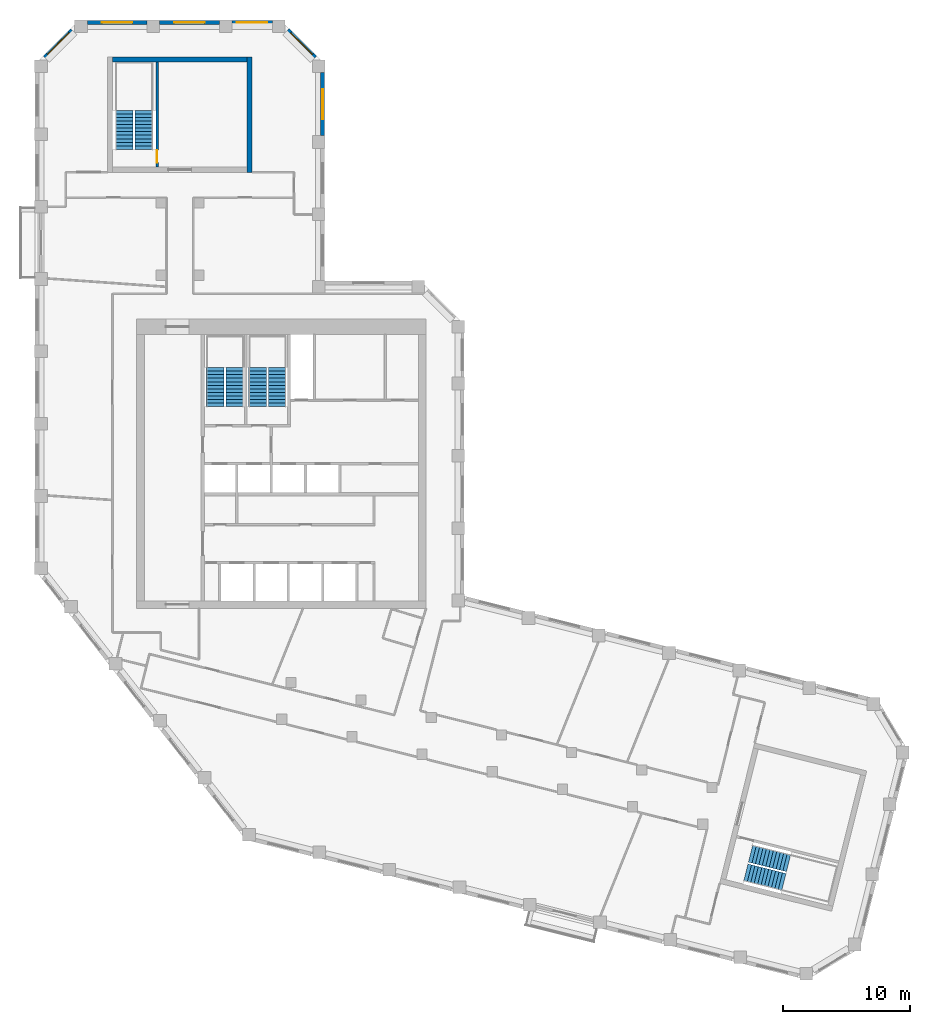
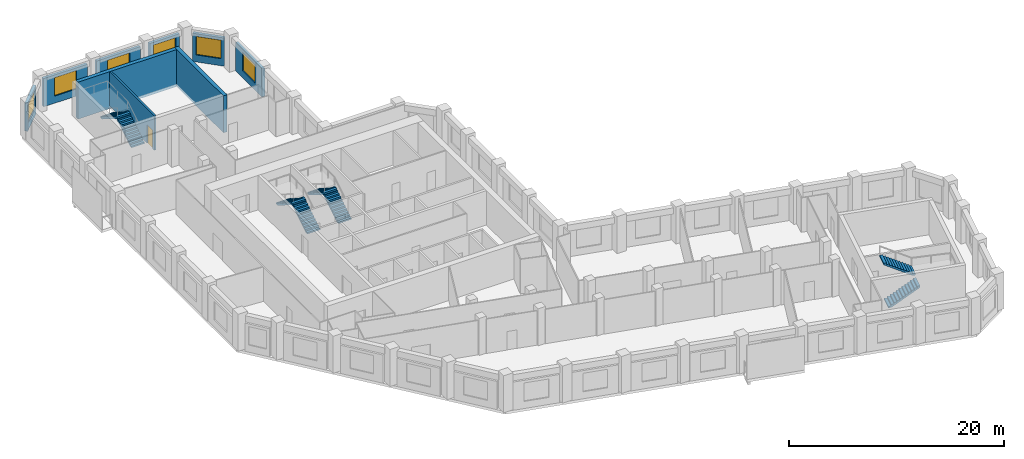
# One storey, part 8 of 9: 9 walls, 8 stair flights, 6 windows, 1 door, 7 openings, 4 elements without a shape of their own.
"""IFC4 building model written with IfcOpenShell, lengths in metres."""

from ifc_helpers import new_model, si_unit, direction, frame, frame_2d, origin, place, context, subcontext, project, spatial, polyline, rectangle, outline, extrude, material, layer, layer_set, type_object, element, fill, aggregate, save


model = new_model("IFC4")

# Units and contexts
model_context = context("Model", 3, precision=1e-05, world=origin(), true_north=direction((0.0, 1.0)))
body_context = subcontext(model_context, "Body", "Model", "MODEL_VIEW")
ifc_project = project(units=[si_unit("LENGTHUNIT", "METRE"), si_unit("AREAUNIT", "SQUARE_METRE"), si_unit("VOLUMEUNIT", "CUBIC_METRE"), si_unit("PLANEANGLEUNIT", "RADIAN"), si_unit("MASSUNIT", "GRAM", prefix="KILO")], contexts=[model_context])

# Site, building, storey
site_placement = place(None, origin())
site = spatial("IfcSite", under=ifc_project, at=site_placement, CompositionType="ELEMENT")
building_placement = place(site_placement, origin())
building = spatial("IfcBuilding", under=site, at=building_placement, Name="Meshkara Civic Tower", CompositionType="ELEMENT")
storey_placement = place(building_placement, frame((0.0, 0.0, 310.800048828125)))
storey = spatial("IfcBuildingStorey", under=building, at=storey_placement, Name="L71", CompositionType="ELEMENT", Elevation=310.800048828125)

# Wall, opening, window
ifc_material_1 = material(Name="Insulated infill panel with bronze anodised aluminium cladding", Category="aluminium")
ifc_layer_1 = layer(ifc_material_1, 0.300048828125)
ifc_layer_set_1 = layer_set([ifc_layer_1], Name="EXTERNAL INFILL WALL 300")
wall_type_1 = type_object("IfcWallType", Name="EXTERNAL INFILL WALL 300", PredefinedType="SOLIDWALL", material=ifc_layer_set_1)
wall_1_placement = place(storey_placement, frame((22.64990234375, 51.35009765625, 0.0), z_axis=(0.0, 0.0, 1.0), x_axis=(0.0, 1.0, 0.0)))
wall_1 = element("IfcWall", 1, at=wall_1_placement, inside=storey, type_object=wall_type_1, Name="External wall", PredefinedType="SOLIDWALL", context=body_context, shape_type="SweptSolid", body=[
    extrude(rectangle(XDim=4.9638671875, YDim=0.300048828125, at=frame_2d((2.48193359375, 0.0))), origin(), (0.0, 0.0, 1.0), 3.199951171875),
])
opening_1_placement = place(wall_1_placement, frame((1.281982421875, 0.0, 0.800048828125)))
opening_1 = element("IfcOpeningElement", 2, at=opening_1_placement, cuts=wall_1, Name="Opening W7", PredefinedType="OPENING", context=body_context, shape_type="SweptSolid", body=[
    extrude(rectangle(XDim=2.39990234375, YDim=2.10009765625, at=frame_2d((1.199951171875, 1.050048828125))), frame((0.0, 0.159912109375, 0.0), z_axis=(0.0, -1.0, 0.0), x_axis=(1.0, 0.0, 0.0)), (0.0, 0.0, 1.0), 0.320068359375),
])
ifc_material_2 = material(Name="Tinted double glazing", Category="glass")
window_type = type_object("IfcWindowType", Name="WINDOW 2400x2100", PartitioningType="DOUBLE_PANEL_VERTICAL", PredefinedType="WINDOW", material=ifc_material_2)
window_1_placement = place(opening_1_placement, origin())
window_1 = element("IfcWindow", 3, at=window_1_placement, inside=storey, type_object=window_type, Name="Window", OverallHeight=2.10009765625, OverallWidth=2.39990234375, PartitioningType="DOUBLE_PANEL_VERTICAL", PredefinedType="WINDOW", context=body_context, shape_type="SweptSolid", body=[
    extrude(rectangle(XDim=2.39990234375, YDim=2.10009765625, at=frame_2d((1.199951171875, 1.050048828125))), frame((0.0, 0.030029296875, 0.0), z_axis=(0.0, -1.0, 0.0), x_axis=(1.0, 0.0, 0.0)), (0.0, 0.0, 1.0), 0.06005859375),
])
fill(opening_1, window_1)

wall_2_placement = place(storey_placement, frame((22.06201171875, 57.52587890625, 0.0), z_axis=(0.0, 0.0, 1.0), x_axis=(-0.707106781187, 0.707106781187, 0.0)))
wall_2 = element("IfcWall", 4, at=wall_2_placement, inside=storey, type_object=wall_type_1, Name="External wall", PredefinedType="SOLIDWALL", context=body_context, shape_type="SweptSolid", body=[
    extrude(rectangle(XDim=3.049072265625, YDim=0.300048828125, at=frame_2d((1.5244140625, 0.0))), origin(), (0.0, 0.0, 1.0), 3.199951171875),
])
opening_2_placement = place(wall_2_placement, frame((0.324951171875, 0.0, 0.800048828125)))
opening_2 = element("IfcOpeningElement", 5, at=opening_2_placement, cuts=wall_2, Name="Opening W7", PredefinedType="OPENING", context=body_context, shape_type="SweptSolid", body=[
    extrude(rectangle(XDim=2.39990234375, YDim=2.10009765625, at=frame_2d((1.199951171875, 1.050048828125))), frame((0.0, 0.159912109375, 0.0), z_axis=(0.0, -1.0, 0.0), x_axis=(1.0, 0.0, 0.0)), (0.0, 0.0, 1.0), 0.320068359375),
])
window_2_placement = place(opening_2_placement, origin())
window_2 = element("IfcWindow", 6, at=window_2_placement, inside=storey, type_object=window_type, Name="Window", OverallHeight=2.10009765625, OverallWidth=2.39990234375, PartitioningType="DOUBLE_PANEL_VERTICAL", PredefinedType="WINDOW", context=body_context, shape_type="SweptSolid", body=[
    extrude(rectangle(XDim=2.39990234375, YDim=2.10009765625, at=frame_2d((1.199951171875, 1.050048828125))), frame((0.0, 0.030029296875, 0.0), z_axis=(0.0, -1.0, 0.0), x_axis=(1.0, 0.0, 0.0)), (0.0, 0.0, 1.0), 0.06005859375),
])
fill(opening_2, window_2)

wall_3_placement = place(storey_placement, frame((18.694091796875, 60.27001953125, 0.0), z_axis=(0.0, 0.0, 1.0), x_axis=(-1.0, 0.0, 0.0)))
wall_3 = element("IfcWall", 7, at=wall_3_placement, inside=storey, type_object=wall_type_1, Name="External wall", PredefinedType="SOLIDWALL", context=body_context, shape_type="SweptSolid", body=[
    extrude(rectangle(XDim=3.18798828125, YDim=0.300048828125, at=frame_2d((1.593994140625, 0.0))), origin(), (0.0, 0.0, 1.0), 3.199951171875),
])
opening_3_placement = place(wall_3_placement, frame((0.39404296875, 0.0, 0.800048828125)))
opening_3 = element("IfcOpeningElement", 8, at=opening_3_placement, cuts=wall_3, Name="Opening W7", PredefinedType="OPENING", context=body_context, shape_type="SweptSolid", body=[
    extrude(rectangle(XDim=2.39990234375, YDim=2.10009765625, at=frame_2d((1.199951171875, 1.050048828125))), frame((0.0, 0.159912109375, 0.0), z_axis=(0.0, -1.0, 0.0), x_axis=(1.0, 0.0, 0.0)), (0.0, 0.0, 1.0), 0.320068359375),
])
window_3_placement = place(opening_3_placement, origin())
window_3 = element("IfcWindow", 9, at=window_3_placement, inside=storey, type_object=window_type, Name="Window", OverallHeight=2.10009765625, OverallWidth=2.39990234375, PartitioningType="DOUBLE_PANEL_VERTICAL", PredefinedType="WINDOW", context=body_context, shape_type="SweptSolid", body=[
    extrude(rectangle(XDim=2.39990234375, YDim=2.10009765625, at=frame_2d((1.199951171875, 1.050048828125))), frame((0.0, 0.030029296875, 0.0), z_axis=(0.0, -1.0, 0.0), x_axis=(1.0, 0.0, 0.0)), (0.0, 0.0, 1.0), 0.06005859375),
])
fill(opening_3, window_3)

wall_4_placement = place(storey_placement, frame((14.506103515625, 60.27001953125, 0.0), z_axis=(0.0, 0.0, 1.0), x_axis=(-1.0, 0.0, 0.0)))
wall_4 = element("IfcWall", 10, at=wall_4_placement, inside=storey, type_object=wall_type_1, Name="External wall", PredefinedType="SOLIDWALL", context=body_context, shape_type="SweptSolid", body=[
    extrude(rectangle(XDim=4.7001953125, YDim=0.300048828125, at=frame_2d((2.35009765625, 0.0))), origin(), (0.0, 0.0, 1.0), 3.199951171875),
])
opening_4_placement = place(wall_4_placement, frame((1.14990234375, 0.0, 0.800048828125)))
opening_4 = element("IfcOpeningElement", 11, at=opening_4_placement, cuts=wall_4, Name="Opening W7", PredefinedType="OPENING", context=body_context, shape_type="SweptSolid", body=[
    extrude(rectangle(XDim=2.39990234375, YDim=2.10009765625, at=frame_2d((1.199951171875, 1.050048828125))), frame((0.0, 0.159912109375, 0.0), z_axis=(0.0, -1.0, 0.0), x_axis=(1.0, 0.0, 0.0)), (0.0, 0.0, 1.0), 0.320068359375),
])
window_4_placement = place(opening_4_placement, origin())
window_4 = element("IfcWindow", 12, at=window_4_placement, inside=storey, type_object=window_type, Name="Window", OverallHeight=2.10009765625, OverallWidth=2.39990234375, PartitioningType="DOUBLE_PANEL_VERTICAL", PredefinedType="WINDOW", context=body_context, shape_type="SweptSolid", body=[
    extrude(rectangle(XDim=2.39990234375, YDim=2.10009765625, at=frame_2d((1.199951171875, 1.050048828125))), frame((0.0, 0.030029296875, 0.0), z_axis=(0.0, -1.0, 0.0), x_axis=(1.0, 0.0, 0.0)), (0.0, 0.0, 1.0), 0.06005859375),
])
fill(opening_4, window_4)

wall_5_placement = place(storey_placement, frame((8.805908203125, 60.27001953125, 0.0), z_axis=(0.0, 0.0, 1.0), x_axis=(-1.0, 0.0, 0.0)))
wall_5 = element("IfcWall", 13, at=wall_5_placement, inside=storey, type_object=wall_type_1, Name="External wall", PredefinedType="SOLIDWALL", context=body_context, shape_type="SweptSolid", body=[
    extrude(rectangle(XDim=4.699951171875, YDim=0.300048828125, at=frame_2d((2.35009765625, 0.0))), origin(), (0.0, 0.0, 1.0), 3.199951171875),
])
opening_5_placement = place(wall_5_placement, frame((1.14990234375, 0.0, 0.800048828125)))
opening_5 = element("IfcOpeningElement", 14, at=opening_5_placement, cuts=wall_5, Name="Opening W7", PredefinedType="OPENING", context=body_context, shape_type="SweptSolid", body=[
    extrude(rectangle(XDim=2.39990234375, YDim=2.10009765625, at=frame_2d((1.199951171875, 1.050048828125))), frame((0.0, 0.159912109375, 0.0), z_axis=(0.0, -1.0, 0.0), x_axis=(1.0, 0.0, 0.0)), (0.0, 0.0, 1.0), 0.320068359375),
])
window_5_placement = place(opening_5_placement, origin())
window_5 = element("IfcWindow", 15, at=window_5_placement, inside=storey, type_object=window_type, Name="Window", OverallHeight=2.10009765625, OverallWidth=2.39990234375, PartitioningType="DOUBLE_PANEL_VERTICAL", PredefinedType="WINDOW", context=body_context, shape_type="SweptSolid", body=[
    extrude(rectangle(XDim=2.39990234375, YDim=2.10009765625, at=frame_2d((1.199951171875, 1.050048828125))), frame((0.0, 0.030029296875, 0.0), z_axis=(0.0, -1.0, 0.0), x_axis=(1.0, 0.0, 0.0)), (0.0, 0.0, 1.0), 0.06005859375),
])
fill(opening_5, window_5)

wall_6_placement = place(storey_placement, frame((2.89404296875, 59.681884765625, 0.0), z_axis=(0.0, 0.0, 1.0), x_axis=(-0.707106781187, -0.707106781187, 0.0)))
wall_6 = element("IfcWall", 16, at=wall_6_placement, inside=storey, type_object=wall_type_1, Name="External wall", PredefinedType="SOLIDWALL", context=body_context, shape_type="SweptSolid", body=[
    extrude(rectangle(XDim=3.049072265625, YDim=0.300048828125, at=frame_2d((1.5244140625, 0.0))), origin(), (0.0, 0.0, 1.0), 3.199951171875),
])
opening_6_placement = place(wall_6_placement, frame((0.324951171875, 0.0, 0.800048828125)))
opening_6 = element("IfcOpeningElement", 17, at=opening_6_placement, cuts=wall_6, Name="Opening W7", PredefinedType="OPENING", context=body_context, shape_type="SweptSolid", body=[
    extrude(rectangle(XDim=2.39990234375, YDim=2.10009765625, at=frame_2d((1.199951171875, 1.050048828125))), frame((0.0, 0.159912109375, 0.0), z_axis=(0.0, -1.0, 0.0), x_axis=(1.0, 0.0, 0.0)), (0.0, 0.0, 1.0), 0.320068359375),
])
window_6_placement = place(opening_6_placement, origin())
window_6 = element("IfcWindow", 18, at=window_6_placement, inside=storey, type_object=window_type, Name="Window", OverallHeight=2.10009765625, OverallWidth=2.39990234375, PartitioningType="DOUBLE_PANEL_VERTICAL", PredefinedType="WINDOW", context=body_context, shape_type="SweptSolid", body=[
    extrude(rectangle(XDim=2.39990234375, YDim=2.10009765625, at=frame_2d((1.199951171875, 1.050048828125))), frame((0.0, 0.030029296875, 0.0), z_axis=(0.0, -1.0, 0.0), x_axis=(1.0, 0.0, 0.0)), (0.0, 0.0, 1.0), 0.06005859375),
])
fill(opening_6, window_6)

# Walls
ifc_material_3 = material(Name="Concrete C60", Category="concrete")
ifc_layer_2 = layer(ifc_material_3, 0.39990234375)
ifc_layer_set_2 = layer_set([ifc_layer_2], Name="End core ring wall 400 C60")
wall_type_2 = type_object("IfcWallType", Name="End core ring wall 400 C60", PredefinedType="SHEAR", material=ifc_layer_set_2)
wall_7_placement = place(storey_placement, frame((16.89990234375, 48.469970703125, -0.300048828125), z_axis=(0.0, 0.0, 1.0), x_axis=(0.0, 1.0, 0.0)))
element("IfcWall", 19, at=wall_7_placement, inside=storey, type_object=wall_type_2, Name="L71-C028", PredefinedType="SHEAR", context=body_context, shape_type="SweptSolid", body=[
    extrude(rectangle(XDim=9.10009765625, YDim=0.39990234375, at=frame_2d((4.550048828125, 0.0))), origin(), (0.0, 0.0, 1.0), 4.199951171875),
])
wall_8_placement = place(storey_placement, frame((6.10009765625, 57.3701171875, -0.300048828125), z_axis=(0.0, 0.0, 1.0), x_axis=(1.0, 0.0, 0.0)))
element("IfcWall", 20, at=wall_8_placement, inside=storey, type_object=wall_type_2, Name="L71-C030", PredefinedType="SHEAR", context=body_context, shape_type="SweptSolid", body=[
    extrude(rectangle(XDim=10.599853515625, YDim=0.39990234375, at=frame_2d((5.2998046875, 0.0))), origin(), (0.0, 0.0, 1.0), 4.199951171875),
])

# Wall, opening, door
ifc_material_4 = material(Name="Concrete C40/50", Category="concrete")
ifc_layer_3 = layer(ifc_material_4, 0.199951171875)
ifc_layer_set_3 = layer_set([ifc_layer_3], Name="Stair enclosure wall 200 C40/50")
wall_type_3 = type_object("IfcWallType", Name="Stair enclosure wall 200 C40/50", PredefinedType="SOLIDWALL", material=ifc_layer_set_3)
wall_9_placement = place(storey_placement, frame((9.60009765625, 48.8701171875, 0.0), z_axis=(0.0, 0.0, 1.0), x_axis=(0.0, 1.0, 0.0)))
wall_9 = element("IfcWall", 21, at=wall_9_placement, inside=storey, type_object=wall_type_3, Name="L71-C031", PredefinedType="SOLIDWALL", context=body_context, shape_type="SweptSolid", body=[
    extrude(rectangle(XDim=8.2998046875, YDim=0.199951171875, at=frame_2d((4.14990234375, 0.0))), origin(), (0.0, 0.0, 1.0), 3.89990234375),
])
opening_7_placement = place(wall_9_placement, frame((0.35009765625, 0.0, 0.0)))
opening_7 = element("IfcOpeningElement", 22, at=opening_7_placement, cuts=wall_9, Name="Opening L71-K101", PredefinedType="OPENING", context=body_context, shape_type="SweptSolid", body=[
    extrude(rectangle(XDim=1.0, YDim=2.10009765625, at=frame_2d((0.5, 1.050048828125))), frame((0.0, 0.10986328125, 0.0), z_axis=(0.0, -1.0, 0.0), x_axis=(1.0, 0.0, 0.0)), (0.0, 0.0, 1.0), 0.219970703125),
])
ifc_material_5 = material(Name="Fire-rated door leaf in steel frame", Category="steel")
door_type = type_object("IfcDoorType", Name="Stair door 1000 EI 120", OperationType="SINGLE_SWING_LEFT", PredefinedType="DOOR", material=ifc_material_5)
door_placement = place(opening_7_placement, origin())
door = element("IfcDoor", 23, at=door_placement, inside=storey, type_object=door_type, Name="L71-K101", OperationType="SINGLE_SWING_RIGHT", OverallHeight=2.10009765625, OverallWidth=1.0, PredefinedType="DOOR", context=body_context, shape_type="SweptSolid", body=[
    extrude(rectangle(XDim=1.0, YDim=2.10009765625, at=frame_2d((0.5, 1.050048828125))), frame((0.0, 0.02490234375, 0.0), z_axis=(0.0, -1.0, 0.0), x_axis=(1.0, 0.0, 0.0)), (0.0, 0.0, 1.0), 0.050048828125),
])
fill(opening_7, door)

# Stair, stair flights
ifc_material_6 = material(Name="Precast concrete C40/50", Category="concrete")
stair_type = type_object("IfcStairType", Name="Exit stair half-turn 24 risers precast", PredefinedType="HALF_TURN_STAIR", material=ifc_material_6)
stair_1_placement = place(storey_placement, origin())
stair_1 = element("IfcStair", 24, at=stair_1_placement, inside=storey, type_object=stair_type, Name="L71 exit stair 1", PredefinedType="HALF_TURN_STAIR")
ifc_material_7 = material(Name="Precast concrete C40/50", Category="concrete")
stair_flight_type = type_object("IfcStairFlightType", Name="Exit stair flight 12 risers precast", PredefinedType="STRAIGHT", material=ifc_material_7)
stair_flight_1_placement = place(storey_placement, frame((15.72509765625, 30.0, 0.0), z_axis=(0.0, 0.0, 1.0), x_axis=(0.0, 1.0, 0.0)))
stair_flight_1 = element("IfcStairFlight", 25, at=stair_flight_1_placement, type_object=stair_flight_type, Name="ST1 flight 1", NumberOfRisers=12, NumberOfTreads=11, PredefinedType="STRAIGHT", RiserHeight=0.175, TreadLength=0.28, context=body_context, shape_type="SweptSolid", body=[
    extrude(outline(polyline([(0.0, 0.0), (0.0, 0.175048828125), (0.280029296875, 0.175048828125), (0.280029296875, 0.35009765625), (0.56005859375, 0.35009765625), (0.56005859375, 0.52490234375), (0.840087890625, 0.52490234375), (0.840087890625, 0.699951171875), (1.1201171875, 0.699951171875), (1.1201171875, 0.875), (1.39990234375, 0.875), (1.39990234375, 1.050048828125), (1.679931640625, 1.050048828125), (1.679931640625, 1.22509765625), (1.9599609375, 1.22509765625), (1.9599609375, 1.39990234375), (2.239990234375, 1.39990234375), (2.239990234375, 1.574951171875), (2.52001953125, 1.574951171875), (2.52001953125, 1.75), (2.800048828125, 1.75), (2.800048828125, 1.925048828125), (3.080078125, 1.925048828125), (3.080078125, 2.10009765625), (3.080078125, 1.748291015625), (0.28271484375, 0.0), (0.0, 0.0)])), frame((0.0, 0.699951171875, 0.0), z_axis=(0.0, -1.0, 0.0), x_axis=(1.0, 0.0, 0.0)), (0.0, 0.0, 1.0), 1.39990234375),
])
stair_flight_2_placement = place(storey_placement, frame((14.175048828125, 33.080078125, 2.099853515625), z_axis=(0.0, 0.0, 1.0), x_axis=(0.0, -1.0, 0.0)))
stair_flight_2 = element("IfcStairFlight", 26, at=stair_flight_2_placement, type_object=stair_flight_type, Name="ST1 flight 2", NumberOfRisers=12, NumberOfTreads=11, PredefinedType="STRAIGHT", RiserHeight=0.175, TreadLength=0.28, context=body_context, shape_type="SweptSolid", body=[
    extrude(outline(polyline([(0.0, 0.0), (0.0, 0.175048828125), (0.280029296875, 0.175048828125), (0.280029296875, 0.35009765625), (0.56005859375, 0.35009765625), (0.56005859375, 0.52490234375), (0.840087890625, 0.52490234375), (0.840087890625, 0.699951171875), (1.1201171875, 0.699951171875), (1.1201171875, 0.875), (1.39990234375, 0.875), (1.39990234375, 1.050048828125), (1.679931640625, 1.050048828125), (1.679931640625, 1.22509765625), (1.9599609375, 1.22509765625), (1.9599609375, 1.39990234375), (2.239990234375, 1.39990234375), (2.239990234375, 1.574951171875), (2.52001953125, 1.574951171875), (2.52001953125, 1.75), (2.800048828125, 1.75), (2.800048828125, 1.925048828125), (3.080078125, 1.925048828125), (3.080078125, 2.10009765625), (3.080078125, 1.748291015625), (0.28271484375, 0.0), (0.0, 0.0)])), frame((0.0, 0.699951171875, 0.0), z_axis=(0.0, -1.0, 0.0), x_axis=(1.0, 0.0, 0.0)), (0.0, 0.0, 1.0), 1.39990234375),
])
aggregate(stair_1, [stair_flight_1, stair_flight_2])

stair_2_placement = place(storey_placement, origin())
stair_2 = element("IfcStair", 27, at=stair_2_placement, inside=storey, type_object=stair_type, Name="L71 exit stair 2", PredefinedType="HALF_TURN_STAIR")
stair_flight_3_placement = place(storey_placement, frame((19.074951171875, 30.0, 0.0), z_axis=(0.0, 0.0, 1.0), x_axis=(0.0, 1.0, 0.0)))
stair_flight_3 = element("IfcStairFlight", 28, at=stair_flight_3_placement, type_object=stair_flight_type, Name="ST2 flight 1", NumberOfRisers=12, NumberOfTreads=11, PredefinedType="STRAIGHT", RiserHeight=0.175, TreadLength=0.28, context=body_context, shape_type="SweptSolid", body=[
    extrude(outline(polyline([(0.0, 0.0), (0.0, 0.175048828125), (0.280029296875, 0.175048828125), (0.280029296875, 0.35009765625), (0.56005859375, 0.35009765625), (0.56005859375, 0.52490234375), (0.840087890625, 0.52490234375), (0.840087890625, 0.699951171875), (1.1201171875, 0.699951171875), (1.1201171875, 0.875), (1.39990234375, 0.875), (1.39990234375, 1.050048828125), (1.679931640625, 1.050048828125), (1.679931640625, 1.22509765625), (1.9599609375, 1.22509765625), (1.9599609375, 1.39990234375), (2.239990234375, 1.39990234375), (2.239990234375, 1.574951171875), (2.52001953125, 1.574951171875), (2.52001953125, 1.75), (2.800048828125, 1.75), (2.800048828125, 1.925048828125), (3.080078125, 1.925048828125), (3.080078125, 2.10009765625), (3.080078125, 1.748291015625), (0.28271484375, 0.0), (0.0, 0.0)])), frame((0.0, 0.699951171875, 0.0), z_axis=(0.0, -1.0, 0.0), x_axis=(1.0, 0.0, 0.0)), (0.0, 0.0, 1.0), 1.39990234375),
])
stair_flight_4_placement = place(storey_placement, frame((17.52490234375, 33.080078125, 2.099853515625), z_axis=(0.0, 0.0, 1.0), x_axis=(0.0, -1.0, 0.0)))
stair_flight_4 = element("IfcStairFlight", 29, at=stair_flight_4_placement, type_object=stair_flight_type, Name="ST2 flight 2", NumberOfRisers=12, NumberOfTreads=11, PredefinedType="STRAIGHT", RiserHeight=0.175, TreadLength=0.28, context=body_context, shape_type="SweptSolid", body=[
    extrude(outline(polyline([(0.0, 0.0), (0.0, 0.175048828125), (0.280029296875, 0.175048828125), (0.280029296875, 0.35009765625), (0.56005859375, 0.35009765625), (0.56005859375, 0.52490234375), (0.840087890625, 0.52490234375), (0.840087890625, 0.699951171875), (1.1201171875, 0.699951171875), (1.1201171875, 0.875), (1.39990234375, 0.875), (1.39990234375, 1.050048828125), (1.679931640625, 1.050048828125), (1.679931640625, 1.22509765625), (1.9599609375, 1.22509765625), (1.9599609375, 1.39990234375), (2.239990234375, 1.39990234375), (2.239990234375, 1.574951171875), (2.52001953125, 1.574951171875), (2.52001953125, 1.75), (2.800048828125, 1.75), (2.800048828125, 1.925048828125), (3.080078125, 1.925048828125), (3.080078125, 2.10009765625), (3.080078125, 1.748291015625), (0.28271484375, 0.0), (0.0, 0.0)])), frame((0.0, 0.699951171875, 0.0), z_axis=(0.0, -1.0, 0.0), x_axis=(1.0, 0.0, 0.0)), (0.0, 0.0, 1.0), 1.39990234375),
])
aggregate(stair_2, [stair_flight_3, stair_flight_4])

stair_3_placement = place(storey_placement, origin())
stair_3 = element("IfcStair", 30, at=stair_3_placement, inside=storey, type_object=stair_type, Name="L71 exit stair A from L65", PredefinedType="HALF_TURN_STAIR")
stair_flight_5_placement = place(storey_placement, frame((8.574951171875, 50.27001953125, 0.0), z_axis=(0.0, 0.0, 1.0), x_axis=(0.0, 1.0, 0.0)))
stair_flight_5 = element("IfcStairFlight", 31, at=stair_flight_5_placement, type_object=stair_flight_type, Name="ESA5 flight 1", NumberOfRisers=12, NumberOfTreads=11, PredefinedType="STRAIGHT", RiserHeight=0.175, TreadLength=0.28, context=body_context, shape_type="SweptSolid", body=[
    extrude(outline(polyline([(0.0, 0.0), (0.0, 0.175048828125), (0.280029296875, 0.175048828125), (0.280029296875, 0.35009765625), (0.56005859375, 0.35009765625), (0.56005859375, 0.52490234375), (0.840087890625, 0.52490234375), (0.840087890625, 0.699951171875), (1.1201171875, 0.699951171875), (1.1201171875, 0.875), (1.39990234375, 0.875), (1.39990234375, 1.050048828125), (1.679931640625, 1.050048828125), (1.679931640625, 1.22509765625), (1.9599609375, 1.22509765625), (1.9599609375, 1.39990234375), (2.239990234375, 1.39990234375), (2.239990234375, 1.574951171875), (2.52001953125, 1.574951171875), (2.52001953125, 1.75), (2.800048828125, 1.75), (2.800048828125, 1.925048828125), (3.080078125, 1.925048828125), (3.080078125, 2.10009765625), (3.080078125, 1.748291015625), (0.28271484375, 0.0), (0.0, 0.0)])), frame((0.0, 0.699951171875, 0.0), z_axis=(0.0, -1.0, 0.0), x_axis=(1.0, 0.0, 0.0)), (0.0, 0.0, 1.0), 1.39990234375),
])
stair_flight_6_placement = place(storey_placement, frame((7.02490234375, 53.35009765625, 2.099853515625), z_axis=(0.0, 0.0, 1.0), x_axis=(0.0, -1.0, 0.0)))
stair_flight_6 = element("IfcStairFlight", 32, at=stair_flight_6_placement, type_object=stair_flight_type, Name="ESA5 flight 2", NumberOfRisers=12, NumberOfTreads=11, PredefinedType="STRAIGHT", RiserHeight=0.175, TreadLength=0.28, context=body_context, shape_type="SweptSolid", body=[
    extrude(outline(polyline([(0.0, 0.0), (0.0, 0.175048828125), (0.280029296875, 0.175048828125), (0.280029296875, 0.35009765625), (0.56005859375, 0.35009765625), (0.56005859375, 0.52490234375), (0.840087890625, 0.52490234375), (0.840087890625, 0.699951171875), (1.1201171875, 0.699951171875), (1.1201171875, 0.875), (1.39990234375, 0.875), (1.39990234375, 1.050048828125), (1.679931640625, 1.050048828125), (1.679931640625, 1.22509765625), (1.9599609375, 1.22509765625), (1.9599609375, 1.39990234375), (2.239990234375, 1.39990234375), (2.239990234375, 1.574951171875), (2.52001953125, 1.574951171875), (2.52001953125, 1.75), (2.800048828125, 1.75), (2.800048828125, 1.925048828125), (3.080078125, 1.925048828125), (3.080078125, 2.10009765625), (3.080078125, 1.748291015625), (0.28271484375, 0.0), (0.0, 0.0)])), frame((0.0, 0.699951171875, 0.0), z_axis=(0.0, -1.0, 0.0), x_axis=(1.0, 0.0, 0.0)), (0.0, 0.0, 1.0), 1.39990234375),
])
aggregate(stair_3, [stair_flight_5, stair_flight_6])

stair_4_placement = place(storey_placement, origin())
stair_4 = element("IfcStair", 33, at=stair_4_placement, inside=storey, type_object=stair_type, Name="L71 exit stair B from L65", PredefinedType="HALF_TURN_STAIR")
stair_flight_7_placement = place(storey_placement, frame((56.0068359375, -6.723876953125, 0.0), z_axis=(0.0, 0.0, 1.0), x_axis=(0.970260066579, -0.242064873955, 0.0)))
stair_flight_7 = element("IfcStairFlight", 34, at=stair_flight_7_placement, type_object=stair_flight_type, Name="ESB5 flight 1", NumberOfRisers=12, NumberOfTreads=11, PredefinedType="STRAIGHT", RiserHeight=0.175, TreadLength=0.28, context=body_context, shape_type="SweptSolid", body=[
    extrude(outline(polyline([(0.0, 0.0), (0.0, 0.175048828125), (0.280029296875, 0.175048828125), (0.280029296875, 0.35009765625), (0.56005859375, 0.35009765625), (0.56005859375, 0.52490234375), (0.840087890625, 0.52490234375), (0.840087890625, 0.699951171875), (1.1201171875, 0.699951171875), (1.1201171875, 0.875), (1.39990234375, 0.875), (1.39990234375, 1.050048828125), (1.679931640625, 1.050048828125), (1.679931640625, 1.22509765625), (1.9599609375, 1.22509765625), (1.9599609375, 1.39990234375), (2.239990234375, 1.39990234375), (2.239990234375, 1.574951171875), (2.52001953125, 1.574951171875), (2.52001953125, 1.75), (2.800048828125, 1.75), (2.800048828125, 1.925048828125), (3.080078125, 1.925048828125), (3.080078125, 2.10009765625), (3.080078125, 1.748291015625), (0.28271484375, 0.0), (0.0, 0.0)])), frame((0.0, 0.699951171875, 0.0), z_axis=(0.0, -1.0, 0.0), x_axis=(1.0, 0.0, 0.0)), (0.0, 0.0, 1.0), 1.39990234375),
])
stair_flight_8_placement = place(storey_placement, frame((59.370361328125, -5.965576171875, 2.099853515625), z_axis=(0.0, 0.0, 1.0), x_axis=(-0.970260066579, 0.242064873955, 0.0)))
stair_flight_8 = element("IfcStairFlight", 35, at=stair_flight_8_placement, type_object=stair_flight_type, Name="ESB5 flight 2", NumberOfRisers=12, NumberOfTreads=11, PredefinedType="STRAIGHT", RiserHeight=0.175, TreadLength=0.28, context=body_context, shape_type="SweptSolid", body=[
    extrude(outline(polyline([(0.0, 0.0), (0.0, 0.175048828125), (0.280029296875, 0.175048828125), (0.280029296875, 0.35009765625), (0.56005859375, 0.35009765625), (0.56005859375, 0.52490234375), (0.840087890625, 0.52490234375), (0.840087890625, 0.699951171875), (1.1201171875, 0.699951171875), (1.1201171875, 0.875), (1.39990234375, 0.875), (1.39990234375, 1.050048828125), (1.679931640625, 1.050048828125), (1.679931640625, 1.22509765625), (1.9599609375, 1.22509765625), (1.9599609375, 1.39990234375), (2.239990234375, 1.39990234375), (2.239990234375, 1.574951171875), (2.52001953125, 1.574951171875), (2.52001953125, 1.75), (2.800048828125, 1.75), (2.800048828125, 1.925048828125), (3.080078125, 1.925048828125), (3.080078125, 2.10009765625), (3.080078125, 1.748291015625), (0.28271484375, 0.0), (0.0, 0.0)])), frame((0.0, 0.699951171875, 0.0), z_axis=(0.0, -1.0, 0.0), x_axis=(1.0, 0.0, 0.0)), (0.0, 0.0, 1.0), 1.39990234375),
])
aggregate(stair_4, [stair_flight_7, stair_flight_8])

save(model, "model.ifc")
